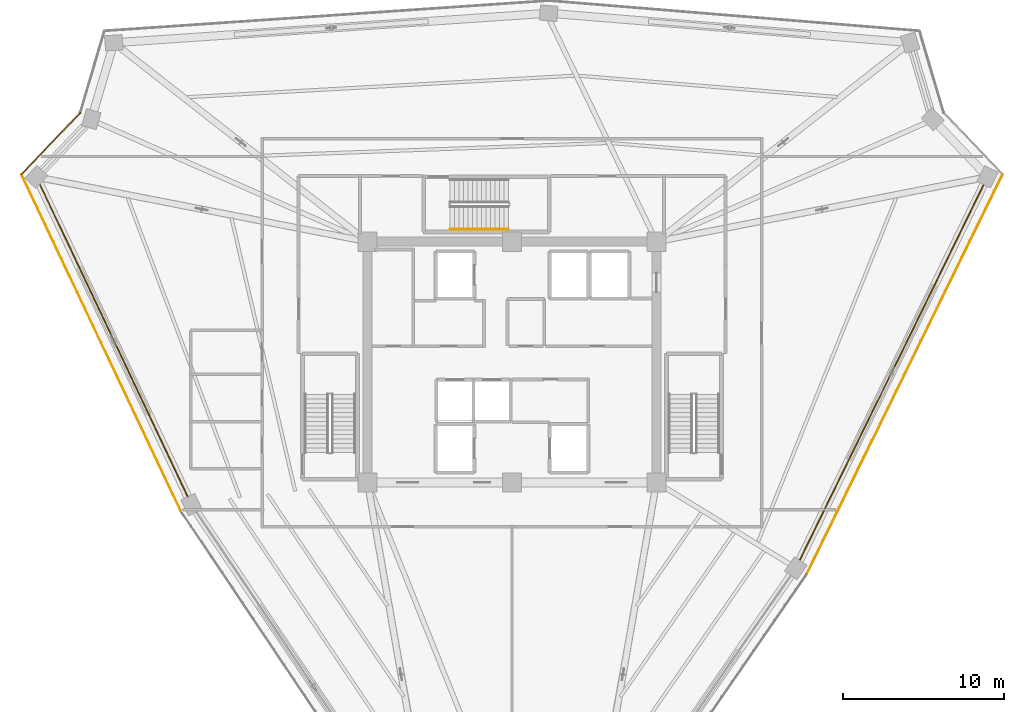
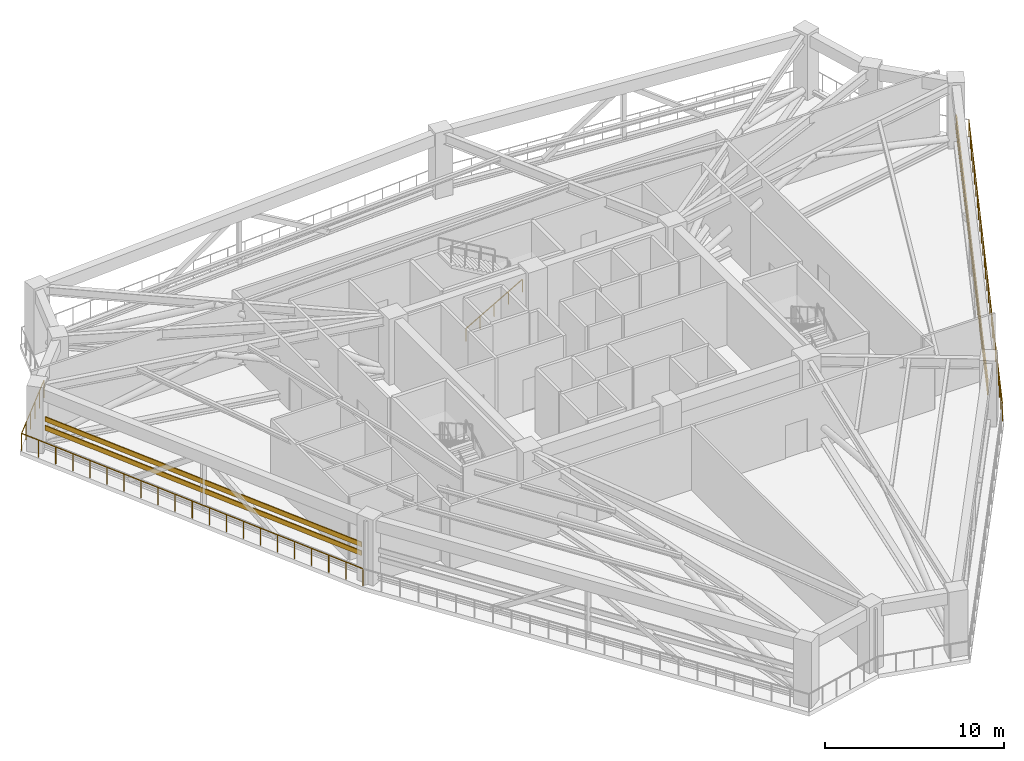
# One storey, part 20 of 22: 4 railings, 4 shading devices.
"""IFC4 building model written with IfcOpenShell, lengths in metres."""

from ifc_helpers import new_model, si_unit, direction, frame, origin, origin_2d, place, context, subcontext, project, spatial, rectangle, extrude, source, transform, mapped, material, material_profile, profile_set, type_object, element, save


model = new_model("IFC4")

# Units and contexts
model_context = context("Model", 3, precision=1e-05, world=origin(), true_north=direction((0.0, 1.0)))
body_context = subcontext(model_context, "Body", "Model", "MODEL_VIEW")
ifc_project = project(units=[si_unit("LENGTHUNIT", "METRE"), si_unit("AREAUNIT", "SQUARE_METRE"), si_unit("VOLUMEUNIT", "CUBIC_METRE"), si_unit("PLANEANGLEUNIT", "RADIAN"), si_unit("MASSUNIT", "GRAM", prefix="KILO")], contexts=[model_context])

# Site, building, storey
site_placement = place(None, origin())
site = spatial("IfcSite", under=ifc_project, at=site_placement, CompositionType="ELEMENT")
building_placement = place(site_placement, origin())
building = spatial("IfcBuilding", under=site, at=building_placement, Name="Liaohun Quay Tower", CompositionType="ELEMENT")
storey_placement = place(building_placement, frame((0.0, 0.0, 324.0)))
storey = spatial("IfcBuildingStorey", under=building, at=storey_placement, Name="L84", CompositionType="ELEMENT", Elevation=324.0)

# Railings
ifc_material_1 = material(Name="Galvanised and powder-coated steel", Category="steel")
railing_type_1 = type_object("IfcRailingType", Name="RLG-GUARD-EXT", PredefinedType="GUARDRAIL", material=ifc_material_1)
railing_1_placement = place(storey_placement, frame((39.364013671875, 44.73095703125, 0.0)))
element("IfcRailing", 1, at=railing_1_placement, inside=storey, type_object=railing_type_1, Name="L84 Open Refuge Band Perimeter Guardrail 02", PredefinedType="GUARDRAIL", context=body_context, shape_type="SweptSolid", body=[
    extrude(rectangle(XDim=0.048095703125, YDim=0.048095703125, at=origin_2d()), frame((0.0, 0.0, 1.17578125), z_axis=(-0.428048313248, 0.903755852831, 0.0), x_axis=(-0.903755852831, -0.428048313248, 0.0)), (0.0, 0.0, 1.0), 23.179931640625),
    extrude(rectangle(XDim=0.0419921875, YDim=0.0419921875, at=origin_2d()), origin(), (0.0, 0.0, 1.0), 1.15185546875),
    extrude(rectangle(XDim=0.0419921875, YDim=0.0419921875, at=origin_2d()), frame((-0.49609375, 1.04736328125, 0.0)), (0.0, 0.0, 1.0), 1.15185546875),
    extrude(rectangle(XDim=0.0419921875, YDim=0.0419921875, at=origin_2d()), frame((-0.9921875, 2.094970703125, 0.0)), (0.0, 0.0, 1.0), 1.15185546875),
    extrude(rectangle(XDim=0.0419921875, YDim=0.0419921875, at=origin_2d()), frame((-1.48828125, 3.142333984375, 0.0)), (0.0, 0.0, 1.0), 1.15185546875),
    extrude(rectangle(XDim=0.0419921875, YDim=0.0419921875, at=origin_2d()), frame((-1.984375, 4.189697265625, 0.0)), (0.0, 0.0, 1.0), 1.15185546875),
    extrude(rectangle(XDim=0.0419921875, YDim=0.0419921875, at=origin_2d()), frame((-2.48046875, 5.2373046875, 0.0)), (0.0, 0.0, 1.0), 1.15185546875),
    extrude(rectangle(XDim=0.0419921875, YDim=0.0419921875, at=origin_2d()), frame((-2.9765625, 6.28466796875, 0.0)), (0.0, 0.0, 1.0), 1.15185546875),
    extrude(rectangle(XDim=0.0419921875, YDim=0.0419921875, at=origin_2d()), frame((-3.47265625, 7.33203125, 0.0)), (0.0, 0.0, 1.0), 1.15185546875),
    extrude(rectangle(XDim=0.0419921875, YDim=0.0419921875, at=origin_2d()), frame((-3.96875, 8.379638671875, 0.0)), (0.0, 0.0, 1.0), 1.15185546875),
    extrude(rectangle(XDim=0.0419921875, YDim=0.0419921875, at=origin_2d()), frame((-4.46484375, 9.427001953125, 0.0)), (0.0, 0.0, 1.0), 1.15185546875),
    extrude(rectangle(XDim=0.0419921875, YDim=0.0419921875, at=origin_2d()), frame((-4.9609375, 10.474609375, 0.0)), (0.0, 0.0, 1.0), 1.15185546875),
    extrude(rectangle(XDim=0.0419921875, YDim=0.0419921875, at=origin_2d()), frame((-5.457275390625, 11.52197265625, 0.0)), (0.0, 0.0, 1.0), 1.15185546875),
    extrude(rectangle(XDim=0.0419921875, YDim=0.0419921875, at=origin_2d()), frame((-5.953369140625, 12.5693359375, 0.0)), (0.0, 0.0, 1.0), 1.15185546875),
    extrude(rectangle(XDim=0.0419921875, YDim=0.0419921875, at=origin_2d()), frame((-6.449462890625, 13.616943359375, 0.0)), (0.0, 0.0, 1.0), 1.15185546875),
    extrude(rectangle(XDim=0.0419921875, YDim=0.0419921875, at=origin_2d()), frame((-6.945556640625, 14.664306640625, 0.0)), (0.0, 0.0, 1.0), 1.15185546875),
    extrude(rectangle(XDim=0.0419921875, YDim=0.0419921875, at=origin_2d()), frame((-7.441650390625, 15.711669921875, 0.0)), (0.0, 0.0, 1.0), 1.15185546875),
    extrude(rectangle(XDim=0.0419921875, YDim=0.0419921875, at=origin_2d()), frame((-7.937744140625, 16.75927734375, 0.0)), (0.0, 0.0, 1.0), 1.15185546875),
    extrude(rectangle(XDim=0.0419921875, YDim=0.0419921875, at=origin_2d()), frame((-8.433837890625, 17.806640625, 0.0)), (0.0, 0.0, 1.0), 1.15185546875),
    extrude(rectangle(XDim=0.0419921875, YDim=0.0419921875, at=origin_2d()), frame((-8.929931640625, 18.85400390625, 0.0)), (0.0, 0.0, 1.0), 1.15185546875),
    extrude(rectangle(XDim=0.0419921875, YDim=0.0419921875, at=origin_2d()), frame((-9.426025390625, 19.901611328125, 0.0)), (0.0, 0.0, 1.0), 1.15185546875),
    extrude(rectangle(XDim=0.0419921875, YDim=0.0419921875, at=origin_2d()), frame((-9.922119140625, 20.948974609375, 0.0)), (0.0, 0.0, 1.0), 1.15185546875),
])
railing_2_placement = place(storey_placement, frame((29.44189453125, 65.679931640625, 0.0)))
element("IfcRailing", 2, at=railing_2_placement, inside=storey, type_object=railing_type_1, Name="L84 Open Refuge Band Perimeter Guardrail 03", PredefinedType="GUARDRAIL", context=body_context, shape_type="SweptSolid", body=[
    extrude(rectangle(XDim=0.048095703125, YDim=0.048095703125, at=origin_2d()), frame((0.0, 0.0, 1.17578125), z_axis=(0.689379698536, 0.724400187222, 0.0), x_axis=(-0.724400187222, 0.689379698536, 0.0)), (0.0, 0.0, 1.0), 5.312255859375),
    extrude(rectangle(XDim=0.0419921875, YDim=0.0419921875, at=origin_2d()), origin(), (0.0, 0.0, 1.0), 1.15185546875),
    extrude(rectangle(XDim=0.0419921875, YDim=0.0419921875, at=origin_2d()), frame((0.732421875, 0.76953125, 0.0)), (0.0, 0.0, 1.0), 1.15185546875),
    extrude(rectangle(XDim=0.0419921875, YDim=0.0419921875, at=origin_2d()), frame((1.46484375, 1.539306640625, 0.0)), (0.0, 0.0, 1.0), 1.15185546875),
    extrude(rectangle(XDim=0.0419921875, YDim=0.0419921875, at=origin_2d()), frame((2.197265625, 2.308837890625, 0.0)), (0.0, 0.0, 1.0), 1.15185546875),
    extrude(rectangle(XDim=0.0419921875, YDim=0.0419921875, at=origin_2d()), frame((2.9296875, 3.07861328125, 0.0)), (0.0, 0.0, 1.0), 1.15185546875),
    extrude(rectangle(XDim=0.0419921875, YDim=0.0419921875, at=origin_2d()), frame((3.662109375, 3.84814453125, 0.0)), (0.0, 0.0, 1.0), 1.15185546875),
])
railing_3_placement = place(storey_placement, frame((90.55810546875, 65.679931640625, 0.0)))
element("IfcRailing", 3, at=railing_3_placement, inside=storey, type_object=railing_type_1, Name="L84 Open Refuge Band Perimeter Guardrail 09", PredefinedType="GUARDRAIL", context=body_context, shape_type="SweptSolid", body=[
    extrude(rectangle(XDim=0.048095703125, YDim=0.048095703125, at=origin_2d()), frame((0.0, 0.0, 1.17578125), z_axis=(-0.440111453712, -0.897943154276, 0.0), x_axis=(0.897943154276, -0.440111453712, 0.0)), (0.0, 0.0, 1.0), 27.747802734375),
    extrude(rectangle(XDim=0.0419921875, YDim=0.0419921875, at=origin_2d()), origin(), (0.0, 0.0, 1.0), 1.15185546875),
    extrude(rectangle(XDim=0.0419921875, YDim=0.0419921875, at=origin_2d()), frame((-0.5087890625, -1.0380859375, 0.0)), (0.0, 0.0, 1.0), 1.15185546875),
    extrude(rectangle(XDim=0.0419921875, YDim=0.0419921875, at=origin_2d()), frame((-1.017578125, -2.076416015625, 0.0)), (0.0, 0.0, 1.0), 1.15185546875),
    extrude(rectangle(XDim=0.0419921875, YDim=0.0419921875, at=origin_2d()), frame((-1.526611328125, -3.114501953125, 0.0)), (0.0, 0.0, 1.0), 1.15185546875),
    extrude(rectangle(XDim=0.0419921875, YDim=0.0419921875, at=origin_2d()), frame((-2.035400390625, -4.152587890625, 0.0)), (0.0, 0.0, 1.0), 1.15185546875),
    extrude(rectangle(XDim=0.0419921875, YDim=0.0419921875, at=origin_2d()), frame((-2.544189453125, -5.19091796875, 0.0)), (0.0, 0.0, 1.0), 1.15185546875),
    extrude(rectangle(XDim=0.0419921875, YDim=0.0419921875, at=origin_2d()), frame((-3.052978515625, -6.22900390625, 0.0)), (0.0, 0.0, 1.0), 1.15185546875),
    extrude(rectangle(XDim=0.0419921875, YDim=0.0419921875, at=origin_2d()), frame((-3.561767578125, -7.26708984375, 0.0)), (0.0, 0.0, 1.0), 1.15185546875),
    extrude(rectangle(XDim=0.0419921875, YDim=0.0419921875, at=origin_2d()), frame((-4.07080078125, -8.305419921875, 0.0)), (0.0, 0.0, 1.0), 1.15185546875),
    extrude(rectangle(XDim=0.0419921875, YDim=0.0419921875, at=origin_2d()), frame((-4.57958984375, -9.343505859375, 0.0)), (0.0, 0.0, 1.0), 1.15185546875),
    extrude(rectangle(XDim=0.0419921875, YDim=0.0419921875, at=origin_2d()), frame((-5.08837890625, -10.381591796875, 0.0)), (0.0, 0.0, 1.0), 1.15185546875),
    extrude(rectangle(XDim=0.0419921875, YDim=0.0419921875, at=origin_2d()), frame((-5.59716796875, -11.419921875, 0.0)), (0.0, 0.0, 1.0), 1.15185546875),
    extrude(rectangle(XDim=0.0419921875, YDim=0.0419921875, at=origin_2d()), frame((-6.10595703125, -12.4580078125, 0.0)), (0.0, 0.0, 1.0), 1.15185546875),
    extrude(rectangle(XDim=0.0419921875, YDim=0.0419921875, at=origin_2d()), frame((-6.614990234375, -13.49609375, 0.0)), (0.0, 0.0, 1.0), 1.15185546875),
    extrude(rectangle(XDim=0.0419921875, YDim=0.0419921875, at=origin_2d()), frame((-7.123779296875, -14.534423828125, 0.0)), (0.0, 0.0, 1.0), 1.15185546875),
    extrude(rectangle(XDim=0.0419921875, YDim=0.0419921875, at=origin_2d()), frame((-7.632568359375, -15.572509765625, 0.0)), (0.0, 0.0, 1.0), 1.15185546875),
    extrude(rectangle(XDim=0.0419921875, YDim=0.0419921875, at=origin_2d()), frame((-8.141357421875, -16.610595703125, 0.0)), (0.0, 0.0, 1.0), 1.15185546875),
    extrude(rectangle(XDim=0.0419921875, YDim=0.0419921875, at=origin_2d()), frame((-8.650390625, -17.64892578125, 0.0)), (0.0, 0.0, 1.0), 1.15185546875),
    extrude(rectangle(XDim=0.0419921875, YDim=0.0419921875, at=origin_2d()), frame((-9.1591796875, -18.68701171875, 0.0)), (0.0, 0.0, 1.0), 1.15185546875),
    extrude(rectangle(XDim=0.0419921875, YDim=0.0419921875, at=origin_2d()), frame((-9.66796875, -19.72509765625, 0.0)), (0.0, 0.0, 1.0), 1.15185546875),
    extrude(rectangle(XDim=0.0419921875, YDim=0.0419921875, at=origin_2d()), frame((-10.1767578125, -20.763427734375, 0.0)), (0.0, 0.0, 1.0), 1.15185546875),
    extrude(rectangle(XDim=0.0419921875, YDim=0.0419921875, at=origin_2d()), frame((-10.685546875, -21.801513671875, 0.0)), (0.0, 0.0, 1.0), 1.15185546875),
    extrude(rectangle(XDim=0.0419921875, YDim=0.0419921875, at=origin_2d()), frame((-11.194580078125, -22.839599609375, 0.0)), (0.0, 0.0, 1.0), 1.15185546875),
    extrude(rectangle(XDim=0.0419921875, YDim=0.0419921875, at=origin_2d()), frame((-11.703369140625, -23.8779296875, 0.0)), (0.0, 0.0, 1.0), 1.15185546875),
    extrude(rectangle(XDim=0.0419921875, YDim=0.0419921875, at=origin_2d()), frame((-12.212158203125, -24.916015625, 0.0)), (0.0, 0.0, 1.0), 1.15185546875),
])
ifc_material_2 = material(Name="Brushed stainless steel", Category="steel")
railing_type_2 = type_object("IfcRailingType", Name="RLG-HND-STR", PredefinedType="HANDRAIL", material=ifc_material_2)
railing_4_placement = place(storey_placement, frame((56.14990234375, 62.280029296875, 0.16064453125)))
element("IfcRailing", 4, at=railing_4_placement, inside=storey, type_object=railing_type_2, Name="L84 ST-3 stair handrail 1", PredefinedType="HANDRAIL", context=body_context, shape_type="SweptSolid", body=[
    extrude(rectangle(XDim=0.048095703125, YDim=0.048095703125, at=origin_2d()), frame((0.0, 0.0, 0.8759765625), z_axis=(0.867289372828, 0.0, 0.497804322781), x_axis=(0.0, 1.0, 0.0)), (0.0, 0.0, 1.0), 4.197021484375),
    extrude(rectangle(XDim=0.0419921875, YDim=0.0419921875, at=origin_2d()), origin(), (0.0, 0.0, 1.0), 0.851806640625),
    extrude(rectangle(XDim=0.0419921875, YDim=0.0419921875, at=origin_2d()), frame((0.91015625, 0.0, 0.5224609375)), (0.0, 0.0, 1.0), 0.851806640625),
    extrude(rectangle(XDim=0.0419921875, YDim=0.0419921875, at=origin_2d()), frame((1.820068359375, 0.0, 1.044677734375)), (0.0, 0.0, 1.0), 0.851806640625),
    extrude(rectangle(XDim=0.0419921875, YDim=0.0419921875, at=origin_2d()), frame((2.72998046875, 0.0, 1.56689453125)), (0.0, 0.0, 1.0), 0.851806640625),
    extrude(rectangle(XDim=0.0419921875, YDim=0.0419921875, at=origin_2d()), frame((3.64013671875, 0.0, 2.08935546875)), (0.0, 0.0, 1.0), 0.851806640625),
])

# Shading devices
ifc_material_3 = material(Name="Fluorocarbon-coated aluminium", Category="aluminium")
ifc_material_profile = material_profile(ifc_material_3, rectangle(XDim=0.06494140625, YDim=0.320068359375, at=origin_2d()), Name="ALU-LVR-320x65")
ifc_profile_set = profile_set([ifc_material_profile], Name="Fluorocarbon-coated aluminium")
shading_device_type = type_object("IfcShadingDeviceType", Name="SHD-LVR-REF", PredefinedType="USERDEFINED", material=ifc_profile_set)
shared_shape_1 = source(origin(), body_context, "Body", "SweptSolid", [
    extrude(rectangle(XDim=0.06494140625, YDim=0.320068359375, at=origin_2d()), origin(), (0.0, 0.0, 1.0), 21.514404296875),
])
for number, where, z_axis, x_axis, name in (
    (5, (39.803955078125, 45.60009765625, 1.550048828125), (-0.42803853966, 0.903760481856, 0.0), (-0.903760481856, -0.42803853966, 0.0), "L84 Refuge Plant Acoustic Louvre Blade LV-1-03"),
    (6, (39.803955078125, 45.60009765625, 2.14990234375), (-0.42803853966, 0.903760481856, 0.0), (-0.903760481856, -0.42803853966, 0.0), "L84 Refuge Plant Acoustic Louvre Blade LV-1-04"),
):
    element("IfcShadingDevice", number, at=place(storey_placement, frame(where, z_axis=z_axis, x_axis=x_axis)), inside=storey, type_object=shading_device_type, Name=name, ObjectType="LOUVRE", PredefinedType="USERDEFINED", context=body_context, shape_type="MappedRepresentation", body=[
        mapped(shared_shape_1, transform((0.0, 0.0, 0.0), x_axis=(1.0, 0.0, 0.0), y_axis=(0.0, 1.0, 0.0), z_axis=(0.0, 0.0, 1.0), scale=1.0)),
    ])
shared_shape_2 = source(origin(), body_context, "Body", "SweptSolid", [
    extrude(rectangle(XDim=0.06494140625, YDim=0.320068359375, at=origin_2d()), origin(), (0.0, 0.0, 1.0), 26.074462890625),
])
for number, where, z_axis, x_axis, name in (
    (7, (89.39208984375, 65.052978515625, 1.550048828125), (-0.440053301327, -0.897971654336, 0.0), (0.897971654336, -0.440053301327, 0.0), "L84 Refuge Plant Acoustic Louvre Blade LV-1-05"),
    (8, (89.39208984375, 65.052978515625, 2.14990234375), (-0.440053301327, -0.897971654336, 0.0), (0.897971654336, -0.440053301327, 0.0), "L84 Refuge Plant Acoustic Louvre Blade LV-1-06"),
):
    element("IfcShadingDevice", number, at=place(storey_placement, frame(where, z_axis=z_axis, x_axis=x_axis)), inside=storey, type_object=shading_device_type, Name=name, ObjectType="LOUVRE", PredefinedType="USERDEFINED", context=body_context, shape_type="MappedRepresentation", body=[
        mapped(shared_shape_2, transform((0.0, 0.0, 0.0), x_axis=(1.0, 0.0, 0.0), y_axis=(0.0, 1.0, 0.0), z_axis=(0.0, 0.0, 1.0), scale=1.0)),
    ])

save(model, "model.ifc")
